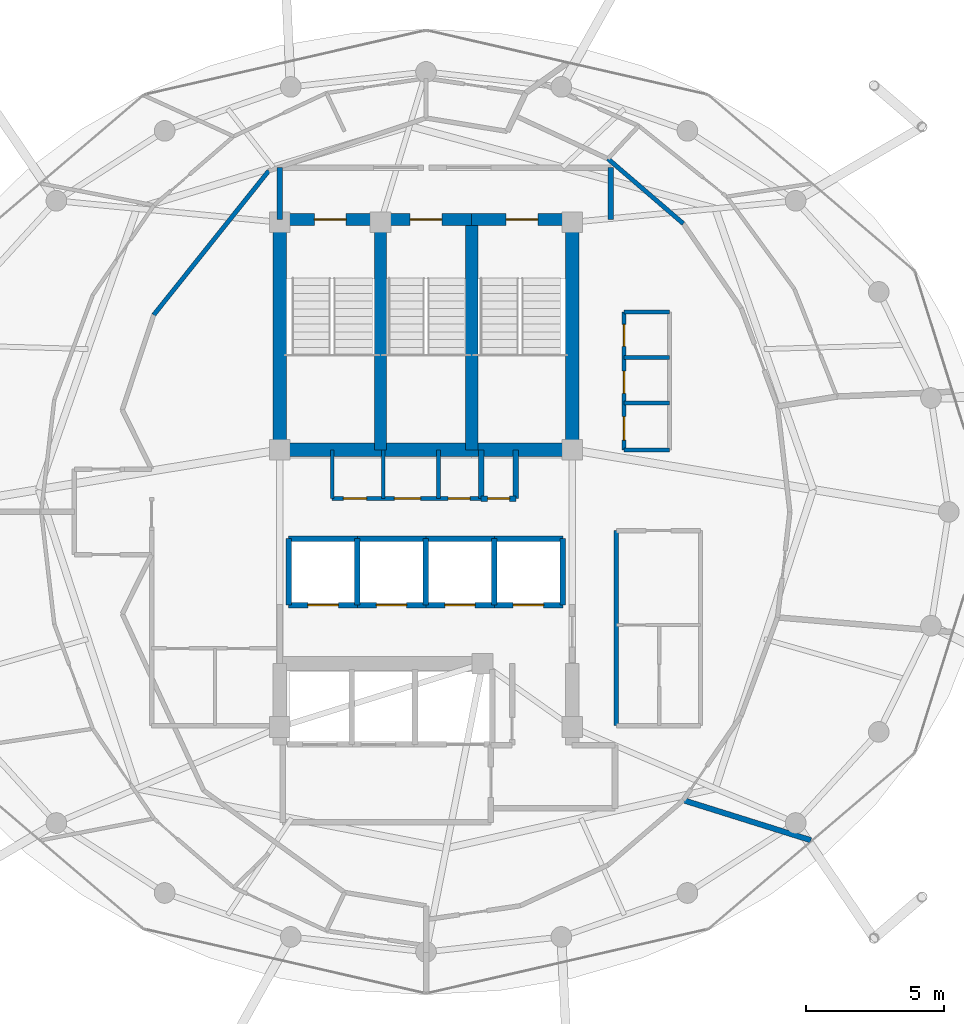
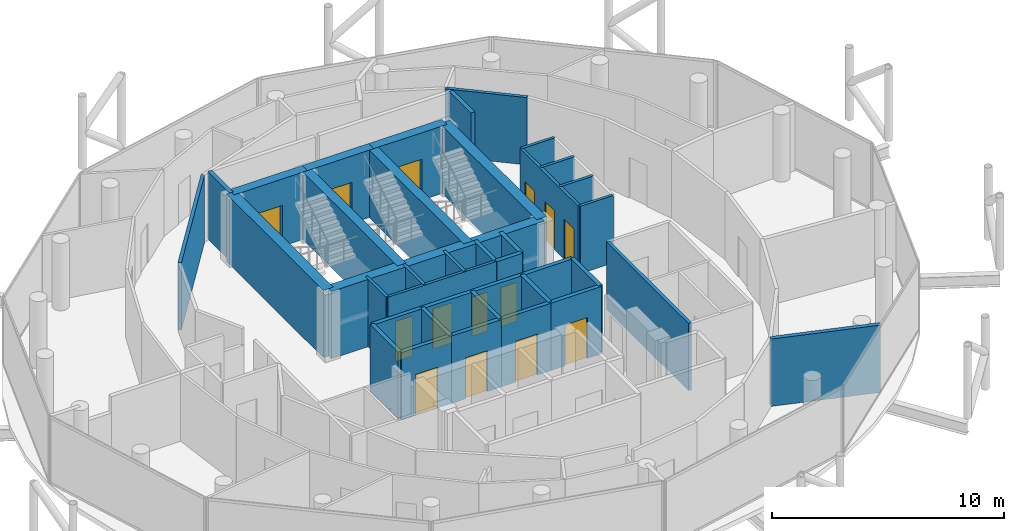
# One storey, part 21 of 24: 39 walls, 14 doors, 14 openings.
"""IFC4 building model written with IfcOpenShell, lengths in metres."""

from ifc_helpers import new_model, si_unit, direction, frame, frame_2d, origin, place, context, subcontext, project, spatial, rectangle, extrude, material, layer, layer_set, type_object, element, fill, save


model = new_model("IFC4")

# Units and contexts
model_context = context("Model", 3, precision=1e-05, world=origin(), true_north=direction((0.0, 1.0)))
body_context = subcontext(model_context, "Body", "Model", "MODEL_VIEW")
ifc_project = project(units=[si_unit("LENGTHUNIT", "METRE"), si_unit("AREAUNIT", "SQUARE_METRE"), si_unit("VOLUMEUNIT", "CUBIC_METRE"), si_unit("PLANEANGLEUNIT", "RADIAN"), si_unit("MASSUNIT", "GRAM", prefix="KILO")], contexts=[model_context])

# Site, building, storey
site_placement = place(None, origin())
site = spatial("IfcSite", under=ifc_project, at=site_placement, CompositionType="ELEMENT")
building_placement = place(site_placement, origin())
building = spatial("IfcBuilding", under=site, at=building_placement, Name="Nuhasar Tower", CompositionType="ELEMENT")
storey_placement = place(building_placement, frame((0.0, 0.0, 289.800048828125)))
storey = spatial("IfcBuildingStorey", under=building, at=storey_placement, Name="L72", CompositionType="ELEMENT", Elevation=289.800048828125)

# Wall, opening, door
ifc_material_1 = material(Name="Concrete C50/60", Category="concrete")
ifc_layer_1 = layer(ifc_material_1, 0.449951171875)
ifc_layer_set_1 = layer_set([ifc_layer_1], Name="Concrete C50/60")
wall_type_1 = type_object("IfcWallType", Name="WL-CORE-450", PredefinedType="SHEAR", material=ifc_layer_set_1)
wall_1_placement = place(storey_placement, frame((37.35009765625, 37.39990234375, 0.0), z_axis=(0.0, 0.0, 1.0), x_axis=(-1.0, 0.0, 0.0)))
wall_1 = element("IfcWall", 1, at=wall_1_placement, inside=storey, type_object=wall_type_1, Name="L72 Stairwell Shear Wall ST01-N", PredefinedType="SHEAR", context=body_context, shape_type="SweptSolid", body=[
    extrude(rectangle(XDim=3.650146484375, YDim=0.449951171875, at=frame_2d((1.8251953125, 0.0))), origin(), (0.0, 0.0, 1.0), 3.5400390625),
])
opening_1_placement = place(wall_1_placement, frame((1.25, 0.0, 0.0)))
opening_1 = element("IfcOpeningElement", 2, at=opening_1_placement, cuts=wall_1, Name="Opening DS-01", PredefinedType="OPENING", context=body_context, shape_type="SweptSolid", body=[
    extrude(rectangle(XDim=1.14990234375, YDim=2.14990234375, at=frame_2d((0.574951171875, 1.074951171875))), frame((0.0, 0.23486328125, 0.0), z_axis=(0.0, -1.0, 0.0), x_axis=(1.0, 0.0, 0.0)), (0.0, 0.0, 1.0), 0.469970703125),
])
ifc_material_2 = material(Name="Steel S355", Category="steel")
door_type_1 = type_object("IfcDoorType", Name="DR-STAIR-FD120-1150", OperationType="NOTDEFINED", PredefinedType="DOOR", material=ifc_material_2)
door_1_placement = place(opening_1_placement, origin())
door_1 = element("IfcDoor", 3, at=door_1_placement, inside=storey, type_object=door_type_1, Name="L72 Exit Stair ST-01 Door", OperationType="SINGLE_SWING_RIGHT", OverallHeight=2.14990234375, OverallWidth=1.14990234375, PredefinedType="DOOR", context=body_context, shape_type="SweptSolid", body=[
    extrude(rectangle(XDim=1.14990234375, YDim=2.14990234375, at=frame_2d((0.574951171875, 1.074951171875))), frame((0.0, 0.02490234375, 0.0), z_axis=(0.0, -1.0, 0.0), x_axis=(1.0, 0.0, 0.0)), (0.0, 0.0, 1.0), 0.050048828125),
])
fill(opening_1, door_1)

# Wall
wall_2_placement = place(storey_placement, frame((37.35009765625, 29.050048828125, 0.0), z_axis=(0.0, 0.0, 1.0), x_axis=(0.0, 1.0, 0.0)))
element("IfcWall", 4, at=wall_2_placement, inside=storey, type_object=wall_type_1, Name="L72 Stairwell Shear Wall ST01-E", PredefinedType="SHEAR", context=body_context, shape_type="SweptSolid", body=[
    extrude(rectangle(XDim=8.349853515625, YDim=0.449951171875, at=frame_2d((4.1748046875, 0.0))), origin(), (0.0, 0.0, 1.0), 3.5400390625),
])

# Wall, opening, door
wall_3_placement = place(storey_placement, frame((40.64990234375, 37.39990234375, 0.0), z_axis=(0.0, 0.0, 1.0), x_axis=(-1.0, 0.0, 0.0)))
wall_3 = element("IfcWall", 5, at=wall_3_placement, inside=storey, type_object=wall_type_1, Name="L72 Stairwell Shear Wall ST03-N", PredefinedType="SHEAR", context=body_context, shape_type="SweptSolid", body=[
    extrude(rectangle(XDim=3.2998046875, YDim=0.449951171875, at=frame_2d((1.64990234375, 0.0))), origin(), (0.0, 0.0, 1.0), 3.5400390625),
])
opening_2_placement = place(wall_3_placement, frame((1.074951171875, 0.0, 0.0)))
opening_2 = element("IfcOpeningElement", 6, at=opening_2_placement, cuts=wall_3, Name="Opening DS-01", PredefinedType="OPENING", context=body_context, shape_type="SweptSolid", body=[
    extrude(rectangle(XDim=1.14990234375, YDim=2.14990234375, at=frame_2d((0.574951171875, 1.074951171875))), frame((0.0, 0.23486328125, 0.0), z_axis=(0.0, -1.0, 0.0), x_axis=(1.0, 0.0, 0.0)), (0.0, 0.0, 1.0), 0.469970703125),
])
door_2_placement = place(opening_2_placement, origin())
door_2 = element("IfcDoor", 7, at=door_2_placement, inside=storey, type_object=door_type_1, Name="L72 Exit Stair ST-03 Door", OperationType="SINGLE_SWING_RIGHT", OverallHeight=2.14990234375, OverallWidth=1.14990234375, PredefinedType="DOOR", context=body_context, shape_type="SweptSolid", body=[
    extrude(rectangle(XDim=1.14990234375, YDim=2.14990234375, at=frame_2d((0.574951171875, 1.074951171875))), frame((0.0, 0.02490234375, 0.0), z_axis=(0.0, -1.0, 0.0), x_axis=(1.0, 0.0, 0.0)), (0.0, 0.0, 1.0), 0.050048828125),
])
fill(opening_2, door_2)

# Wall
wall_4_placement = place(storey_placement, frame((40.64990234375, 29.050048828125, 0.0), z_axis=(0.0, 0.0, 1.0), x_axis=(0.0, 1.0, 0.0)))
element("IfcWall", 8, at=wall_4_placement, inside=storey, type_object=wall_type_1, Name="L72 Stairwell Shear Wall ST03-E", PredefinedType="SHEAR", context=body_context, shape_type="SweptSolid", body=[
    extrude(rectangle(XDim=8.349853515625, YDim=0.449951171875, at=frame_2d((4.1748046875, 0.0))), origin(), (0.0, 0.0, 1.0), 3.5400390625),
])

# Wall, opening, door
wall_5_placement = place(storey_placement, frame((44.300048828125, 37.39990234375, 0.0), z_axis=(0.0, 0.0, 1.0), x_axis=(-1.0, 0.0, 0.0)))
wall_5 = element("IfcWall", 9, at=wall_5_placement, inside=storey, type_object=wall_type_1, Name="L72 Stairwell Shear Wall ST02-N", PredefinedType="SHEAR", context=body_context, shape_type="SweptSolid", body=[
    extrude(rectangle(XDim=3.650146484375, YDim=0.449951171875, at=frame_2d((1.8251953125, 0.0))), origin(), (0.0, 0.0, 1.0), 3.5400390625),
])
opening_3_placement = place(wall_5_placement, frame((1.25, 0.0, 0.0)))
opening_3 = element("IfcOpeningElement", 10, at=opening_3_placement, cuts=wall_5, Name="Opening DS-01", PredefinedType="OPENING", context=body_context, shape_type="SweptSolid", body=[
    extrude(rectangle(XDim=1.14990234375, YDim=2.14990234375, at=frame_2d((0.574951171875, 1.074951171875))), frame((0.0, 0.23486328125, 0.0), z_axis=(0.0, -1.0, 0.0), x_axis=(1.0, 0.0, 0.0)), (0.0, 0.0, 1.0), 0.469970703125),
])
door_3_placement = place(opening_3_placement, origin())
door_3 = element("IfcDoor", 11, at=door_3_placement, inside=storey, type_object=door_type_1, Name="L72 Exit Stair ST-02 Door", OperationType="SINGLE_SWING_LEFT", OverallHeight=2.14990234375, OverallWidth=1.14990234375, PredefinedType="DOOR", context=body_context, shape_type="SweptSolid", body=[
    extrude(rectangle(XDim=1.14990234375, YDim=2.14990234375, at=frame_2d((0.574951171875, 1.074951171875))), frame((0.0, 0.02490234375, 0.0), z_axis=(0.0, -1.0, 0.0), x_axis=(1.0, 0.0, 0.0)), (0.0, 0.0, 1.0), 0.050048828125),
])
fill(opening_3, door_3)

# Walls
ifc_layer_2 = layer(ifc_material_1, 0.5)
ifc_layer_set_2 = layer_set([ifc_layer_2], Name="Concrete C50/60")
wall_type_2 = type_object("IfcWallType", Name="WL-CORE-500", PredefinedType="SHEAR", material=ifc_layer_set_2)
for number, where, z_axis, x_axis, name in (
    (12, (33.699951171875, 29.050048828125, 0.0), (0.0, 0.0, 1.0), (0.0, 1.0, 0.0), "L72 Core Shear Wall CW-NW CW-500"),
    (13, (44.300048828125, 29.050048828125, 0.0), (0.0, 0.0, 1.0), (0.0, 1.0, 0.0), "L72 Core Shear Wall CW-NE CW-500"),
):
    element("IfcWall", number, at=place(storey_placement, frame(where, z_axis=z_axis, x_axis=x_axis)), inside=storey, type_object=wall_type_2, Name=name, PredefinedType="SHEAR", context=body_context, shape_type="SweptSolid", body=[
        extrude(rectangle(XDim=8.349853515625, YDim=0.5, at=frame_2d((4.1748046875, 0.0))), origin(), (0.0, 0.0, 1.0), 3.5400390625),
    ])
wall_6_placement = place(storey_placement, frame((33.699951171875, 29.050048828125, 0.0), z_axis=(0.0, 0.0, 1.0), x_axis=(1.0, 0.0, 0.0)))
element("IfcWall", 14, at=wall_6_placement, inside=storey, type_object=wall_type_2, Name="L72 Core Shear Wall CW-N1 CW-500", PredefinedType="SHEAR", context=body_context, shape_type="SweptSolid", body=[
    extrude(rectangle(XDim=10.60009765625, YDim=0.5, at=frame_2d((5.300048828125, 0.0))), origin(), (0.0, 0.0, 1.0), 3.5400390625),
])
ifc_material_3 = material(Name="Gypsum Board", Category="gypsum")
ifc_layer_3 = layer(ifc_material_3, 0.159912109375)
ifc_layer_set_3 = layer_set([ifc_layer_3], Name="Gypsum Board")
wall_type_3 = type_object("IfcWallType", Name="WL-CORR-160", PredefinedType="PARTITIONING", material=ifc_layer_set_3)
wall_7_placement = place(storey_placement, frame((45.89990234375, 19.050048828125, 0.0), z_axis=(0.0, 0.0, 1.0), x_axis=(0.0, 1.0, 0.0)))
element("IfcWall", 15, at=wall_7_placement, inside=storey, type_object=wall_type_3, Name="L72 Interior Partition RECL-B2-W", PredefinedType="PARTITIONING", context=body_context, shape_type="SweptSolid", body=[
    extrude(rectangle(XDim=7.070068359375, YDim=0.159912109375, at=frame_2d((3.53515625, 0.0))), origin(), (0.0, 0.0, 1.0), 3.5400390625),
])
wall_8_placement = place(storey_placement, frame((48.326904296875, 37.2509765625, 0.0), z_axis=(0.0, 0.0, 1.0), x_axis=(-0.758232091793, 0.651984735231, 0.0)))
element("IfcWall", 16, at=wall_8_placement, inside=storey, type_object=wall_type_3, Name="L72 Interior Partition CORR-06", PredefinedType="PARTITIONING", context=body_context, shape_type="SweptSolid", body=[
    extrude(rectangle(XDim=3.60302734375, YDim=0.159912109375, at=frame_2d((1.801513671875, 0.0))), origin(), (0.0, 0.0, 1.0), 3.5400390625),
])
wall_9_placement = place(storey_placement, frame((33.300048828125, 39.1669921875, 0.0), z_axis=(0.0, 0.0, 1.0), x_axis=(-0.623915746766, -0.781491612839, 0.0)))
element("IfcWall", 17, at=wall_9_placement, inside=storey, type_object=wall_type_3, Name="L72 Interior Partition UWEST-CORE-N2-16", PredefinedType="PARTITIONING", context=body_context, shape_type="SweptSolid", body=[
    extrude(rectangle(XDim=6.6884765625, YDim=0.159912109375, at=frame_2d((3.34423828125, 0.0))), origin(), (0.0, 0.0, 1.0), 3.5400390625),
])
ifc_material_4 = material(Name="Concrete C45/55", Category="concrete")
ifc_layer_4 = layer(ifc_material_4, 0.199951171875)
ifc_layer_set_4 = layer_set([ifc_layer_4], Name="Concrete C45/55")
wall_type_4 = type_object("IfcWallType", Name="WL-LOBBY-200", PredefinedType="SOLIDWALL", material=ifc_layer_set_4)
for number, where, z_axis, x_axis, name in (
    (18, (33.699951171875, 37.39990234375, 0.0), (0.0, 0.0, 1.0), (0.0, 1.0, 0.0), "L72 Interior Partition NSL-W"),
    (19, (45.699951171875, 37.39990234375, 0.0), (0.0, 0.0, 1.0), (0.0, 1.0, 0.0), "L72 Interior Partition NSL-E"),
):
    element("IfcWall", number, at=place(storey_placement, frame(where, z_axis=z_axis, x_axis=x_axis)), inside=storey, type_object=wall_type_4, Name=name, PredefinedType="SOLIDWALL", context=body_context, shape_type="SweptSolid", body=[
        extrude(rectangle(XDim=1.880126953125, YDim=0.199951171875, at=frame_2d((0.93994140625, 0.0))), origin(), (0.0, 0.0, 1.0), 3.5400390625),
    ])
ifc_layer_5 = layer(ifc_material_4, 0.199951171875)
ifc_layer_set_5 = layer_set([ifc_layer_5], Name="Concrete C45/55")
wall_type_5 = type_object("IfcWallType", Name="WL-SHAFT-200", PredefinedType="SOLIDWALL", material=ifc_layer_set_5)
for number, where, z_axis, x_axis, name in (
    (20, (41.0, 27.280029296875, 0.0), (0.0, 0.0, 1.0), (0.0, 1.0, 0.0), "L72 Interior Partition RSRN-W"),
    (21, (42.260009765625, 27.280029296875, 0.0), (0.0, 0.0, 1.0), (0.0, 1.0, 0.0), "L72 Interior Partition RSRN-E"),
):
    element("IfcWall", number, at=place(storey_placement, frame(where, z_axis=z_axis, x_axis=x_axis)), inside=storey, type_object=wall_type_5, Name=name, PredefinedType="SOLIDWALL", context=body_context, shape_type="SweptSolid", body=[
        extrude(rectangle(XDim=1.77001953125, YDim=0.199951171875, at=frame_2d((0.885009765625, 0.0))), origin(), (0.0, 0.0, 1.0), 3.5400390625),
    ])

# Wall, opening, door
wall_10_placement = place(storey_placement, frame((41.0, 27.280029296875, 0.0), z_axis=(0.0, 0.0, 1.0), x_axis=(1.0, 0.0, 0.0)))
wall_10 = element("IfcWall", 22, at=wall_10_placement, inside=storey, type_object=wall_type_5, Name="L72 Interior Partition RSRN-S", PredefinedType="SOLIDWALL", context=body_context, shape_type="SweptSolid", body=[
    extrude(rectangle(XDim=1.260009765625, YDim=0.199951171875, at=frame_2d((0.6298828125, 0.0))), origin(), (0.0, 0.0, 1.0), 3.5400390625),
])
opening_4_placement = place(wall_10_placement, frame((0.22998046875, 0.0, 0.0)))
opening_4 = element("IfcOpeningElement", 23, at=opening_4_placement, cuts=wall_10, Name="Opening DM-01", PredefinedType="OPENING", context=body_context, shape_type="SweptSolid", body=[
    extrude(rectangle(XDim=0.800048828125, YDim=2.050048828125, at=frame_2d((0.39990234375, 1.02490234375))), frame((0.0, 0.10986328125, 0.0), z_axis=(0.0, -1.0, 0.0), x_axis=(1.0, 0.0, 0.0)), (0.0, 0.0, 1.0), 0.219970703125),
])
door_type_2 = type_object("IfcDoorType", Name="DR-RISER-FD60-800", OperationType="NOTDEFINED", PredefinedType="DOOR", material=ifc_material_2)
door_4_placement = place(opening_4_placement, origin())
door_4 = element("IfcDoor", 24, at=door_4_placement, inside=storey, type_object=door_type_2, Name="L72 North Smoke Riser Door", OperationType="SINGLE_SWING_RIGHT", OverallHeight=2.050048828125, OverallWidth=0.800048828125, PredefinedType="DOOR", context=body_context, shape_type="SweptSolid", body=[
    extrude(rectangle(XDim=0.800048828125, YDim=2.050048828125, at=frame_2d((0.39990234375, 1.02490234375))), frame((0.0, 0.02490234375, 0.0), z_axis=(0.0, -1.0, 0.0), x_axis=(1.0, 0.0, 0.0)), (0.0, 0.0, 1.0), 0.050048828125),
])
fill(opening_4, door_4)

wall_11_placement = place(storey_placement, frame((34.02001953125, 23.419921875, 0.0), z_axis=(0.0, 0.0, 1.0), x_axis=(1.0, 0.0, 0.0)))
wall_11 = element("IfcWall", 25, at=wall_11_placement, inside=storey, type_object=wall_type_5, Name="L72 Interior Partition SHF-PL-H01-S", PredefinedType="SOLIDWALL", context=body_context, shape_type="SweptSolid", body=[
    extrude(rectangle(XDim=2.5, YDim=0.199951171875, at=frame_2d((1.25, 0.0))), origin(), (0.0, 0.0, 1.0), 3.5400390625),
])
opening_5_placement = place(wall_11_placement, frame((0.699951171875, 0.0, 0.0)))
opening_5 = element("IfcOpeningElement", 26, at=opening_5_placement, cuts=wall_11, Name="Opening LD-H01", PredefinedType="OPENING", context=body_context, shape_type="SweptSolid", body=[
    extrude(rectangle(XDim=1.10009765625, YDim=2.14990234375, at=frame_2d((0.550048828125, 1.074951171875))), frame((0.0, 0.10986328125, 0.0), z_axis=(0.0, -1.0, 0.0), x_axis=(1.0, 0.0, 0.0)), (0.0, 0.0, 1.0), 0.219970703125),
])
ifc_material_5 = material(Name="Stainless Steel 316L", Category="steel")
door_type_3 = type_object("IfcDoorType", Name="LD-PAX-1100", OperationType="DOUBLE_DOOR_SLIDING", PredefinedType="DOOR", material=ifc_material_5)
door_5_placement = place(opening_5_placement, origin())
door_5 = element("IfcDoor", 27, at=door_5_placement, inside=storey, type_object=door_type_3, Name="L72 Lift Landing Door PL-H01", OperationType="DOUBLE_DOOR_SLIDING", OverallHeight=2.14990234375, OverallWidth=1.10009765625, PredefinedType="DOOR", context=body_context, shape_type="SweptSolid", body=[
    extrude(rectangle(XDim=1.10009765625, YDim=2.14990234375, at=frame_2d((0.550048828125, 1.074951171875))), frame((0.0, 0.02490234375, 0.0), z_axis=(0.0, -1.0, 0.0), x_axis=(1.0, 0.0, 0.0)), (0.0, 0.0, 1.0), 0.050048828125),
])
fill(opening_5, door_5)

# Walls
wall_12_placement = place(storey_placement, frame((34.02001953125, 25.830078125, 0.0), z_axis=(0.0, 0.0, 1.0), x_axis=(1.0, 0.0, 0.0)))
element("IfcWall", 28, at=wall_12_placement, inside=storey, type_object=wall_type_5, Name="L72 Interior Partition SHF-PL-H01-N", PredefinedType="SOLIDWALL", context=body_context, shape_type="SweptSolid", body=[
    extrude(rectangle(XDim=2.5, YDim=0.199951171875, at=frame_2d((1.25, 0.0))), origin(), (0.0, 0.0, 1.0), 3.5400390625),
])
for number, where, z_axis, x_axis, name in (
    (29, (34.02001953125, 23.419921875, 0.0), (0.0, 0.0, 1.0), (0.0, 1.0, 0.0), "L72 Interior Partition SHF-PL-H01-W"),
    (30, (36.510009765625, 23.419921875, 0.0), (0.0, 0.0, 1.0), (0.0, 1.0, 0.0), "L72 Interior Partition SHF-PL-H01-E"),
):
    element("IfcWall", number, at=place(storey_placement, frame(where, z_axis=z_axis, x_axis=x_axis)), inside=storey, type_object=wall_type_5, Name=name, PredefinedType="SOLIDWALL", context=body_context, shape_type="SweptSolid", body=[
        extrude(rectangle(XDim=2.41015625, YDim=0.199951171875, at=frame_2d((1.205078125, 0.0))), origin(), (0.0, 0.0, 1.0), 3.5400390625),
    ])

# Wall, opening, door
wall_13_placement = place(storey_placement, frame((36.5, 23.419921875, 0.0), z_axis=(0.0, 0.0, 1.0), x_axis=(1.0, 0.0, 0.0)))
wall_13 = element("IfcWall", 31, at=wall_13_placement, inside=storey, type_object=wall_type_5, Name="L72 Interior Partition SHF-PL-H02-S", PredefinedType="SOLIDWALL", context=body_context, shape_type="SweptSolid", body=[
    extrude(rectangle(XDim=2.5, YDim=0.199951171875, at=frame_2d((1.25, 0.0))), origin(), (0.0, 0.0, 1.0), 3.5400390625),
])
opening_6_placement = place(wall_13_placement, frame((0.699951171875, 0.0, 0.0)))
opening_6 = element("IfcOpeningElement", 32, at=opening_6_placement, cuts=wall_13, Name="Opening LD-H02", PredefinedType="OPENING", context=body_context, shape_type="SweptSolid", body=[
    extrude(rectangle(XDim=1.10009765625, YDim=2.14990234375, at=frame_2d((0.550048828125, 1.074951171875))), frame((0.0, 0.10986328125, 0.0), z_axis=(0.0, -1.0, 0.0), x_axis=(1.0, 0.0, 0.0)), (0.0, 0.0, 1.0), 0.219970703125),
])
door_6_placement = place(opening_6_placement, origin())
door_6 = element("IfcDoor", 33, at=door_6_placement, inside=storey, type_object=door_type_3, Name="L72 Lift Landing Door PL-H02", OperationType="DOUBLE_DOOR_SLIDING", OverallHeight=2.14990234375, OverallWidth=1.10009765625, PredefinedType="DOOR", context=body_context, shape_type="SweptSolid", body=[
    extrude(rectangle(XDim=1.10009765625, YDim=2.14990234375, at=frame_2d((0.550048828125, 1.074951171875))), frame((0.0, 0.02490234375, 0.0), z_axis=(0.0, -1.0, 0.0), x_axis=(1.0, 0.0, 0.0)), (0.0, 0.0, 1.0), 0.050048828125),
])
fill(opening_6, door_6)

# Walls
wall_14_placement = place(storey_placement, frame((36.5, 25.830078125, 0.0), z_axis=(0.0, 0.0, 1.0), x_axis=(1.0, 0.0, 0.0)))
element("IfcWall", 34, at=wall_14_placement, inside=storey, type_object=wall_type_5, Name="L72 Interior Partition SHF-PL-H02-N", PredefinedType="SOLIDWALL", context=body_context, shape_type="SweptSolid", body=[
    extrude(rectangle(XDim=2.5, YDim=0.199951171875, at=frame_2d((1.25, 0.0))), origin(), (0.0, 0.0, 1.0), 3.5400390625),
])
wall_15_placement = place(storey_placement, frame((38.989990234375, 23.419921875, 0.0), z_axis=(0.0, 0.0, 1.0), x_axis=(0.0, 1.0, 0.0)))
element("IfcWall", 35, at=wall_15_placement, inside=storey, type_object=wall_type_5, Name="L72 Interior Partition SHF-PL-H02-E", PredefinedType="SOLIDWALL", context=body_context, shape_type="SweptSolid", body=[
    extrude(rectangle(XDim=2.41015625, YDim=0.199951171875, at=frame_2d((1.205078125, 0.0))), origin(), (0.0, 0.0, 1.0), 3.5400390625),
])

# Wall, opening, door
wall_16_placement = place(storey_placement, frame((38.97998046875, 23.419921875, 0.0), z_axis=(0.0, 0.0, 1.0), x_axis=(1.0, 0.0, 0.0)))
wall_16 = element("IfcWall", 36, at=wall_16_placement, inside=storey, type_object=wall_type_5, Name="L72 Interior Partition SHF-PL-H03-S", PredefinedType="SOLIDWALL", context=body_context, shape_type="SweptSolid", body=[
    extrude(rectangle(XDim=2.5, YDim=0.199951171875, at=frame_2d((1.25, 0.0))), origin(), (0.0, 0.0, 1.0), 3.5400390625),
])
opening_7_placement = place(wall_16_placement, frame((0.699951171875, 0.0, 0.0)))
opening_7 = element("IfcOpeningElement", 37, at=opening_7_placement, cuts=wall_16, Name="Opening LD-H03", PredefinedType="OPENING", context=body_context, shape_type="SweptSolid", body=[
    extrude(rectangle(XDim=1.10009765625, YDim=2.14990234375, at=frame_2d((0.550048828125, 1.074951171875))), frame((0.0, 0.10986328125, 0.0), z_axis=(0.0, -1.0, 0.0), x_axis=(1.0, 0.0, 0.0)), (0.0, 0.0, 1.0), 0.219970703125),
])
door_7_placement = place(opening_7_placement, origin())
door_7 = element("IfcDoor", 38, at=door_7_placement, inside=storey, type_object=door_type_3, Name="L72 Lift Landing Door PL-H03", OperationType="DOUBLE_DOOR_SLIDING", OverallHeight=2.14990234375, OverallWidth=1.10009765625, PredefinedType="DOOR", context=body_context, shape_type="SweptSolid", body=[
    extrude(rectangle(XDim=1.10009765625, YDim=2.14990234375, at=frame_2d((0.550048828125, 1.074951171875))), frame((0.0, 0.02490234375, 0.0), z_axis=(0.0, -1.0, 0.0), x_axis=(1.0, 0.0, 0.0)), (0.0, 0.0, 1.0), 0.050048828125),
])
fill(opening_7, door_7)

# Walls
wall_17_placement = place(storey_placement, frame((38.97998046875, 25.830078125, 0.0), z_axis=(0.0, 0.0, 1.0), x_axis=(1.0, 0.0, 0.0)))
element("IfcWall", 39, at=wall_17_placement, inside=storey, type_object=wall_type_5, Name="L72 Interior Partition SHF-PL-H03-N", PredefinedType="SOLIDWALL", context=body_context, shape_type="SweptSolid", body=[
    extrude(rectangle(XDim=2.5, YDim=0.199951171875, at=frame_2d((1.25, 0.0))), origin(), (0.0, 0.0, 1.0), 3.5400390625),
])
wall_18_placement = place(storey_placement, frame((41.469970703125, 23.419921875, 0.0), z_axis=(0.0, 0.0, 1.0), x_axis=(0.0, 1.0, 0.0)))
element("IfcWall", 40, at=wall_18_placement, inside=storey, type_object=wall_type_5, Name="L72 Interior Partition SHF-PL-H03-E", PredefinedType="SOLIDWALL", context=body_context, shape_type="SweptSolid", body=[
    extrude(rectangle(XDim=2.41015625, YDim=0.199951171875, at=frame_2d((1.205078125, 0.0))), origin(), (0.0, 0.0, 1.0), 3.5400390625),
])

# Wall, opening, door
wall_19_placement = place(storey_placement, frame((41.4599609375, 23.419921875, 0.0), z_axis=(0.0, 0.0, 1.0), x_axis=(1.0, 0.0, 0.0)))
wall_19 = element("IfcWall", 41, at=wall_19_placement, inside=storey, type_object=wall_type_5, Name="L72 Interior Partition SHF-PL-H04-S", PredefinedType="SOLIDWALL", context=body_context, shape_type="SweptSolid", body=[
    extrude(rectangle(XDim=2.5, YDim=0.199951171875, at=frame_2d((1.25, 0.0))), origin(), (0.0, 0.0, 1.0), 3.5400390625),
])
opening_8_placement = place(wall_19_placement, frame((0.699951171875, 0.0, 0.0)))
opening_8 = element("IfcOpeningElement", 42, at=opening_8_placement, cuts=wall_19, Name="Opening LD-H04", PredefinedType="OPENING", context=body_context, shape_type="SweptSolid", body=[
    extrude(rectangle(XDim=1.10009765625, YDim=2.14990234375, at=frame_2d((0.550048828125, 1.074951171875))), frame((0.0, 0.10986328125, 0.0), z_axis=(0.0, -1.0, 0.0), x_axis=(1.0, 0.0, 0.0)), (0.0, 0.0, 1.0), 0.219970703125),
])
door_8_placement = place(opening_8_placement, origin())
door_8 = element("IfcDoor", 43, at=door_8_placement, inside=storey, type_object=door_type_3, Name="L72 Lift Landing Door PL-H04", OperationType="DOUBLE_DOOR_SLIDING", OverallHeight=2.14990234375, OverallWidth=1.10009765625, PredefinedType="DOOR", context=body_context, shape_type="SweptSolid", body=[
    extrude(rectangle(XDim=1.10009765625, YDim=2.14990234375, at=frame_2d((0.550048828125, 1.074951171875))), frame((0.0, 0.02490234375, 0.0), z_axis=(0.0, -1.0, 0.0), x_axis=(1.0, 0.0, 0.0)), (0.0, 0.0, 1.0), 0.050048828125),
])
fill(opening_8, door_8)

# Walls
wall_20_placement = place(storey_placement, frame((41.4599609375, 25.830078125, 0.0), z_axis=(0.0, 0.0, 1.0), x_axis=(1.0, 0.0, 0.0)))
element("IfcWall", 44, at=wall_20_placement, inside=storey, type_object=wall_type_5, Name="L72 Interior Partition SHF-PL-H04-N", PredefinedType="SOLIDWALL", context=body_context, shape_type="SweptSolid", body=[
    extrude(rectangle(XDim=2.5, YDim=0.199951171875, at=frame_2d((1.25, 0.0))), origin(), (0.0, 0.0, 1.0), 3.5400390625),
])
wall_21_placement = place(storey_placement, frame((43.9599609375, 23.419921875, 0.0), z_axis=(0.0, 0.0, 1.0), x_axis=(0.0, 1.0, 0.0)))
element("IfcWall", 45, at=wall_21_placement, inside=storey, type_object=wall_type_5, Name="L72 Interior Partition SHF-PL-H04-E", PredefinedType="SOLIDWALL", context=body_context, shape_type="SweptSolid", body=[
    extrude(rectangle(XDim=2.41015625, YDim=0.199951171875, at=frame_2d((1.205078125, 0.0))), origin(), (0.0, 0.0, 1.0), 3.5400390625),
])
ifc_material_6 = material(Name="Concrete C40/50 precast", Category="concrete")
ifc_layer_6 = layer(ifc_material_6, 0.199951171875)
ifc_layer_set_6 = layer_set([ifc_layer_6], Name="Concrete C40/50 precast")
wall_type_6 = type_object("IfcWallType", Name="WL-UNIT-200", PredefinedType="PARTITIONING", material=ifc_layer_set_6)
wall_22_placement = place(storey_placement, frame((48.326904296875, 16.34912109375, 0.0), z_axis=(0.0, 0.0, 1.0), x_axis=(0.954174696895, -0.299250142532, 0.0)))
element("IfcWall", 46, at=wall_22_placement, inside=storey, type_object=wall_type_6, Name="L72 Interior Partition URAD-42", PredefinedType="PARTITIONING", context=body_context, shape_type="SweptSolid", body=[
    extrude(rectangle(XDim=4.84619140625, YDim=0.199951171875, at=frame_2d((2.423095703125, 0.0))), origin(), (0.0, 0.0, 1.0), 3.5400390625),
])
ifc_layer_7 = layer(ifc_material_6, 0.139892578125)
ifc_layer_set_7 = layer_set([ifc_layer_7], Name="Concrete C40/50 precast")
wall_type_7 = type_object("IfcWallType", Name="WL-WET-140", PredefinedType="PARTITIONING", material=ifc_layer_set_7)
wall_23_placement = place(storey_placement, frame((35.60009765625, 27.280029296875, 0.0), z_axis=(0.0, 0.0, 1.0), x_axis=(0.0, 1.0, 0.0)))
element("IfcWall", 47, at=wall_23_placement, inside=storey, type_object=wall_type_7, Name="L72 Interior Partition CSVC-W", PredefinedType="PARTITIONING", context=body_context, shape_type="SweptSolid", body=[
    extrude(rectangle(XDim=1.77001953125, YDim=0.139892578125, at=frame_2d((0.885009765625, 0.0))), origin(), (0.0, 0.0, 1.0), 3.5400390625),
])

# Wall, openings, doors
wall_24_placement = place(storey_placement, frame((35.60009765625, 27.280029296875, 0.0), z_axis=(0.0, 0.0, 1.0), x_axis=(1.0, 0.0, 0.0)))
wall_24 = element("IfcWall", 48, at=wall_24_placement, inside=storey, type_object=wall_type_7, Name="L72 Interior Partition CSVC-S", PredefinedType="PARTITIONING", context=body_context, shape_type="SweptSolid", body=[
    extrude(rectangle(XDim=5.39990234375, YDim=0.139892578125, at=frame_2d((2.699951171875, 0.0))), origin(), (0.0, 0.0, 1.0), 3.5400390625),
])
opening_9_placement = place(wall_24_placement, frame((0.39990234375, 0.0, 0.0)))
opening_9 = element("IfcOpeningElement", 49, at=opening_9_placement, cuts=wall_24, Name="Opening DB-01", PredefinedType="OPENING", context=body_context, shape_type="SweptSolid", body=[
    extrude(rectangle(XDim=0.85009765625, YDim=2.10009765625, at=frame_2d((0.425048828125, 1.050048828125))), frame((0.0, 0.080078125, 0.0), z_axis=(0.0, -1.0, 0.0), x_axis=(1.0, 0.0, 0.0)), (0.0, 0.0, 1.0), 0.159912109375),
])
opening_10_placement = place(wall_24_placement, frame((2.25, 0.0, 0.0)))
opening_10 = element("IfcOpeningElement", 50, at=opening_10_placement, cuts=wall_24, Name="Opening DA-01", PredefinedType="OPENING", context=body_context, shape_type="SweptSolid", body=[
    extrude(rectangle(XDim=0.949951171875, YDim=2.10009765625, at=frame_2d((0.47509765625, 1.050048828125))), frame((0.0, 0.080078125, 0.0), z_axis=(0.0, -1.0, 0.0), x_axis=(1.0, 0.0, 0.0)), (0.0, 0.0, 1.0), 0.159912109375),
])
opening_11_placement = place(wall_24_placement, frame((4.199951171875, 0.0, 0.0)))
opening_11 = element("IfcOpeningElement", 51, at=opening_11_placement, cuts=wall_24, Name="Opening DM-01", PredefinedType="OPENING", context=body_context, shape_type="SweptSolid", body=[
    extrude(rectangle(XDim=0.800048828125, YDim=2.050048828125, at=frame_2d((0.39990234375, 1.02490234375))), frame((0.0, 0.080078125, 0.0), z_axis=(0.0, -1.0, 0.0), x_axis=(1.0, 0.0, 0.0)), (0.0, 0.0, 1.0), 0.159912109375),
])
ifc_material_7 = material(Name="Timber Oak", Category="wood")
door_type_4 = type_object("IfcDoorType", Name="DR-ACCWC-950", OperationType="NOTDEFINED", PredefinedType="DOOR", material=ifc_material_7)
door_9_placement = place(opening_10_placement, origin())
door_9 = element("IfcDoor", 52, at=door_9_placement, inside=storey, type_object=door_type_4, Name="L72 Core Accessible WC Door", OperationType="SINGLE_SWING_RIGHT", OverallHeight=2.10009765625, OverallWidth=0.949951171875, PredefinedType="DOOR", context=body_context, shape_type="SweptSolid", body=[
    extrude(rectangle(XDim=0.949951171875, YDim=2.10009765625, at=frame_2d((0.47509765625, 1.050048828125))), frame((0.0, 0.02490234375, 0.0), z_axis=(0.0, -1.0, 0.0), x_axis=(1.0, 0.0, 0.0)), (0.0, 0.0, 1.0), 0.050048828125),
])
fill(opening_10, door_9)
door_type_5 = type_object("IfcDoorType", Name="DR-BATH-850", OperationType="NOTDEFINED", PredefinedType="DOOR", material=ifc_material_7)
door_10_placement = place(opening_9_placement, origin())
door_10 = element("IfcDoor", 53, at=door_10_placement, inside=storey, type_object=door_type_5, Name="L72 Core Male WC Door", OperationType="SINGLE_SWING_LEFT", OverallHeight=2.10009765625, OverallWidth=0.85009765625, PredefinedType="DOOR", context=body_context, shape_type="SweptSolid", body=[
    extrude(rectangle(XDim=0.85009765625, YDim=2.10009765625, at=frame_2d((0.425048828125, 1.050048828125))), frame((0.0, 0.02490234375, 0.0), z_axis=(0.0, -1.0, 0.0), x_axis=(1.0, 0.0, 0.0)), (0.0, 0.0, 1.0), 0.050048828125),
])
fill(opening_9, door_10)
door_11_placement = place(opening_11_placement, origin())
door_11 = element("IfcDoor", 54, at=door_11_placement, inside=storey, type_object=door_type_2, Name="L72 Core Janitor Door", OperationType="SINGLE_SWING_RIGHT", OverallHeight=2.050048828125, OverallWidth=0.800048828125, PredefinedType="DOOR", context=body_context, shape_type="SweptSolid", body=[
    extrude(rectangle(XDim=0.800048828125, YDim=2.050048828125, at=frame_2d((0.39990234375, 1.02490234375))), frame((0.0, 0.02490234375, 0.0), z_axis=(0.0, -1.0, 0.0), x_axis=(1.0, 0.0, 0.0)), (0.0, 0.0, 1.0), 0.050048828125),
])
fill(opening_11, door_11)

# Walls
for number, where, z_axis, x_axis, name in (
    (55, (37.449951171875, 27.280029296875, 0.0), (0.0, 0.0, 1.0), (0.0, 1.0, 0.0), "L72 Interior Partition K1-P1"),
    (56, (39.449951171875, 27.280029296875, 0.0), (0.0, 0.0, 1.0), (0.0, 1.0, 0.0), "L72 Interior Partition K1-P2"),
):
    element("IfcWall", number, at=place(storey_placement, frame(where, z_axis=z_axis, x_axis=x_axis)), inside=storey, type_object=wall_type_7, Name=name, PredefinedType="PARTITIONING", context=body_context, shape_type="SweptSolid", body=[
        extrude(rectangle(XDim=1.77001953125, YDim=0.139892578125, at=frame_2d((0.885009765625, 0.0))), origin(), (0.0, 0.0, 1.0), 3.5400390625),
    ])

# Wall, openings, doors
wall_25_placement = place(storey_placement, frame((46.179931640625, 34.050048828125, 0.0), z_axis=(0.0, 0.0, 1.0), x_axis=(0.0, -1.0, 0.0)))
wall_25 = element("IfcWall", 57, at=wall_25_placement, inside=storey, type_object=wall_type_7, Name="L72 Interior Partition K1-NE-W", PredefinedType="PARTITIONING", context=body_context, shape_type="SweptSolid", body=[
    extrude(rectangle(XDim=5.0, YDim=0.139892578125, at=frame_2d((2.5, 0.0))), origin(), (0.0, 0.0, 1.0), 3.5400390625),
])
opening_12_placement = place(wall_25_placement, frame((3.800048828125, 0.0, 0.0)))
opening_12 = element("IfcOpeningElement", 58, at=opening_12_placement, cuts=wall_25, Name="Opening DB-01", PredefinedType="OPENING", context=body_context, shape_type="SweptSolid", body=[
    extrude(rectangle(XDim=0.85009765625, YDim=2.10009765625, at=frame_2d((0.425048828125, 1.050048828125))), frame((0.0, 0.080078125, 0.0), z_axis=(0.0, -1.0, 0.0), x_axis=(1.0, 0.0, 0.0)), (0.0, 0.0, 1.0), 0.159912109375),
])
opening_13_placement = place(wall_25_placement, frame((2.14990234375, 0.0, 0.0)))
opening_13 = element("IfcOpeningElement", 59, at=opening_13_placement, cuts=wall_25, Name="Opening DM-01", PredefinedType="OPENING", context=body_context, shape_type="SweptSolid", body=[
    extrude(rectangle(XDim=0.800048828125, YDim=2.050048828125, at=frame_2d((0.39990234375, 1.02490234375))), frame((0.0, 0.080078125, 0.0), z_axis=(0.0, -1.0, 0.0), x_axis=(1.0, 0.0, 0.0)), (0.0, 0.0, 1.0), 0.159912109375),
])
opening_14_placement = place(wall_25_placement, frame((0.449951171875, 0.0, 0.0)))
opening_14 = element("IfcOpeningElement", 60, at=opening_14_placement, cuts=wall_25, Name="Opening DM-01", PredefinedType="OPENING", context=body_context, shape_type="SweptSolid", body=[
    extrude(rectangle(XDim=0.800048828125, YDim=2.050048828125, at=frame_2d((0.39990234375, 1.02490234375))), frame((0.0, 0.080078125, 0.0), z_axis=(0.0, -1.0, 0.0), x_axis=(1.0, 0.0, 0.0)), (0.0, 0.0, 1.0), 0.159912109375),
])
door_12_placement = place(opening_12_placement, origin())
door_12 = element("IfcDoor", 61, at=door_12_placement, inside=storey, type_object=door_type_5, Name="L72 NE Female WC Door", OperationType="SINGLE_SWING_RIGHT", OverallHeight=2.10009765625, OverallWidth=0.85009765625, PredefinedType="DOOR", context=body_context, shape_type="SweptSolid", body=[
    extrude(rectangle(XDim=0.85009765625, YDim=2.10009765625, at=frame_2d((0.425048828125, 1.050048828125))), frame((0.0, 0.02490234375, 0.0), z_axis=(0.0, -1.0, 0.0), x_axis=(1.0, 0.0, 0.0)), (0.0, 0.0, 1.0), 0.050048828125),
])
fill(opening_12, door_12)
door_13_placement = place(opening_13_placement, origin())
door_13 = element("IfcDoor", 62, at=door_13_placement, inside=storey, type_object=door_type_2, Name="L72 NE Meter Door", OperationType="SINGLE_SWING_RIGHT", OverallHeight=2.050048828125, OverallWidth=0.800048828125, PredefinedType="DOOR", context=body_context, shape_type="SweptSolid", body=[
    extrude(rectangle(XDim=0.800048828125, YDim=2.050048828125, at=frame_2d((0.39990234375, 1.02490234375))), frame((0.0, 0.02490234375, 0.0), z_axis=(0.0, -1.0, 0.0), x_axis=(1.0, 0.0, 0.0)), (0.0, 0.0, 1.0), 0.050048828125),
])
fill(opening_13, door_13)
door_14_placement = place(opening_14_placement, origin())
door_14 = element("IfcDoor", 63, at=door_14_placement, inside=storey, type_object=door_type_2, Name="L72 NE Telecom Door", OperationType="SINGLE_SWING_LEFT", OverallHeight=2.050048828125, OverallWidth=0.800048828125, PredefinedType="DOOR", context=body_context, shape_type="SweptSolid", body=[
    extrude(rectangle(XDim=0.800048828125, YDim=2.050048828125, at=frame_2d((0.39990234375, 1.02490234375))), frame((0.0, 0.02490234375, 0.0), z_axis=(0.0, -1.0, 0.0), x_axis=(1.0, 0.0, 0.0)), (0.0, 0.0, 1.0), 0.050048828125),
])
fill(opening_14, door_14)

# Walls
for number, where, z_axis, x_axis, name in (
    (64, (46.179931640625, 29.050048828125, 0.0), (0.0, 0.0, 1.0), (1.0, 0.0, 0.0), "L72 Interior Partition K1-NE-S"),
    (65, (46.179931640625, 30.75, 0.0), (0.0, 0.0, 1.0), (1.0, 0.0, 0.0), "L72 Interior Partition K1-NE-M1"),
    (66, (46.179931640625, 32.39990234375, 0.0), (0.0, 0.0, 1.0), (1.0, 0.0, 0.0), "L72 Interior Partition K1-NE-M2"),
    (67, (46.179931640625, 34.050048828125, 0.0), (0.0, 0.0, 1.0), (1.0, 0.0, 0.0), "L72 Interior Partition K1-NE-N"),
):
    element("IfcWall", number, at=place(storey_placement, frame(where, z_axis=z_axis, x_axis=x_axis)), inside=storey, type_object=wall_type_7, Name=name, PredefinedType="PARTITIONING", context=body_context, shape_type="SweptSolid", body=[
        extrude(rectangle(XDim=1.64013671875, YDim=0.139892578125, at=frame_2d((0.820068359375, 0.0))), origin(), (0.0, 0.0, 1.0), 3.5400390625),
    ])

save(model, "model.ifc")
